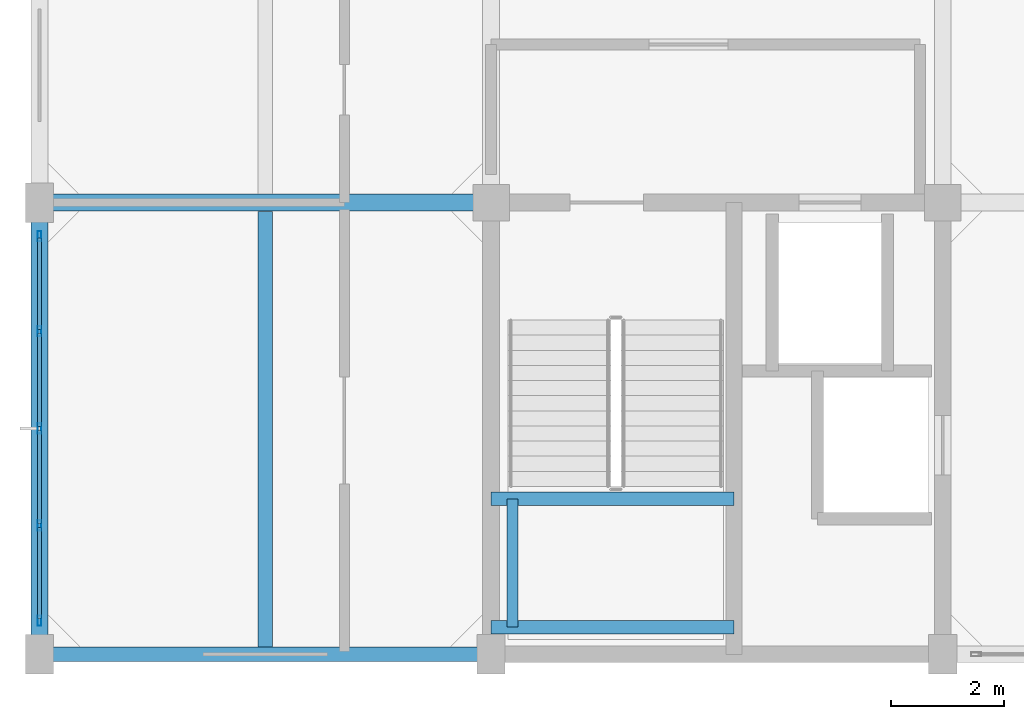
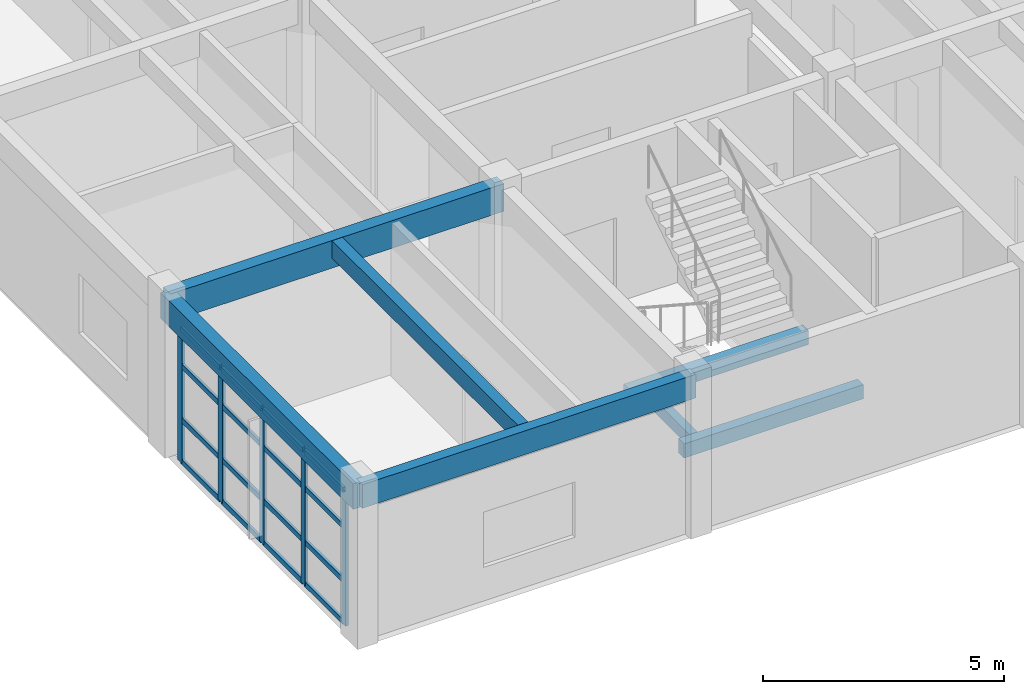
# One storey, part 2 of 16: 21 members, 7 beams, 1 element without a shape of its own.
"""IFC4 building model written with IfcOpenShell, lengths in metres."""

from ifc_helpers import new_model, si_unit, direction, frame, origin, origin_2d, place, context, subcontext, project, spatial, rectangle, hollow_rectangle, extrude, material, layer, layer_set, material_profile, profile_set, type_object, element, aggregate, save


model = new_model("IFC4")

# Units and contexts
model_context = context("Model", 3, precision=1e-05, world=origin(), true_north=direction((0.0, 1.0)))
body_context = subcontext(model_context, "Body", "Model", "MODEL_VIEW")
ifc_project = project(units=[si_unit("LENGTHUNIT", "METRE"), si_unit("AREAUNIT", "SQUARE_METRE"), si_unit("VOLUMEUNIT", "CUBIC_METRE"), si_unit("PLANEANGLEUNIT", "RADIAN"), si_unit("MASSUNIT", "GRAM", prefix="KILO")], contexts=[model_context])

# Site, building, storey
site_placement = place(None, origin())
site = spatial("IfcSite", under=ifc_project, at=site_placement, CompositionType="ELEMENT")
building_placement = place(site_placement, origin())
building = spatial("IfcBuilding", under=site, at=building_placement, Name="Canggui Botanical Conservatory", CompositionType="ELEMENT")
storey_placement = place(building_placement, frame((0.0, 0.0, 65.39990234375)))
storey = spatial("IfcBuildingStorey", under=building, at=storey_placement, Name="L16", CompositionType="ELEMENT", Elevation=65.39990234375)

# Beams
ifc_material_1 = material(Name="Concrete C35", Category="concrete")
ifc_material_profile_1 = material_profile(ifc_material_1, rectangle(XDim=0.25, YDim=0.449951171875, at=origin_2d()), Name="RB 250x450")
ifc_profile_set_1 = profile_set([ifc_material_profile_1], Name="Concrete C35")
beam_type_1 = type_object("IfcBeamType", Name="BM-JST05", PredefinedType="JOIST", material=ifc_profile_set_1)
beam_1_placement = place(storey_placement, frame((150.0, 42.1298828125, 3.735107421875), z_axis=(0.0, 1.0, 0.0), x_axis=(-1.0, 0.0, 0.0)))
element("IfcBeam", 1, at=beam_1_placement, inside=storey, type_object=beam_type_1, Name="Secondary Floor Joist L16-1-1", PredefinedType="JOIST", context=body_context, shape_type="SweptSolid", body=[
    extrude(rectangle(XDim=0.25, YDim=0.449951171875, at=origin_2d()), origin(), (0.0, 0.0, 1.0), 7.715087890625),
])
ifc_material_profile_2 = material_profile(ifc_material_1, rectangle(XDim=0.300048828125, YDim=0.699951171875, at=origin_2d()), Name="RB 300x700")
ifc_profile_set_2 = profile_set([ifc_material_profile_2], Name="Concrete C35")
beam_type_2 = type_object("IfcBeamType", Name="BM-KL21", PredefinedType="BEAM", material=ifc_profile_set_2)
beam_2_placement = place(storey_placement, frame((146.0, 50.0, 3.610107421875), z_axis=(1.0, 0.0, 0.0), x_axis=(0.0, 1.0, 0.0)))
element("IfcBeam", 2, at=beam_2_placement, inside=storey, type_object=beam_type_2, Name="Frame Girder L16 Y50-1", PredefinedType="BEAM", context=body_context, shape_type="SweptSolid", body=[
    extrude(rectangle(XDim=0.300048828125, YDim=0.699951171875, at=origin_2d()), origin(), (0.0, 0.0, 1.0), 8.0),
])
ifc_material_profile_3 = material_profile(ifc_material_1, rectangle(XDim=0.300048828125, YDim=0.64990234375, at=origin_2d()), Name="RB 300x650")
ifc_profile_set_3 = profile_set([ifc_material_profile_3], Name="Concrete C35")
beam_type_3 = type_object("IfcBeamType", Name="BM-KL22", PredefinedType="BEAM", material=ifc_profile_set_3)
beam_3_placement = place(storey_placement, frame((146.0, 42.0, 3.635009765625), z_axis=(0.0, 1.0, 0.0), x_axis=(-1.0, 0.0, 0.0)))
element("IfcBeam", 3, at=beam_3_placement, inside=storey, type_object=beam_type_3, Name="Frame Girder L16 X146-1", PredefinedType="BEAM", context=body_context, shape_type="SweptSolid", body=[
    extrude(rectangle(XDim=0.300048828125, YDim=0.64990234375, at=origin_2d()), origin(), (0.0, 0.0, 1.0), 8.0),
])
ifc_material_profile_4 = material_profile(ifc_material_1, rectangle(XDim=0.239990234375, YDim=0.360107421875, at=origin_2d()), Name="RB 240x360")
ifc_profile_set_4 = profile_set([ifc_material_profile_4], Name="Concrete C35")
beam_type_4 = type_object("IfcBeamType", Name="BM-LIN01", PredefinedType="LINTEL", material=ifc_profile_set_4)
for number, where, z_axis, x_axis, name in (
    (4, (154.0, 42.47998046875, 1.72021484375), (1.0, 0.0, 0.0), (0.0, 1.0, 0.0), "ST-T1 Half-Landing Ledger Beam L16-1.1"),
    (5, (154.0, 44.75244140625, 1.72021484375), (1.0, 0.0, 0.0), (0.0, 1.0, 0.0), "ST-T1 Half-Landing Ledger Beam L16-1.2"),
):
    element("IfcBeam", number, at=place(storey_placement, frame(where, z_axis=z_axis, x_axis=x_axis)), inside=storey, type_object=beam_type_4, Name=name, PredefinedType="LINTEL", context=body_context, shape_type="SweptSolid", body=[
        extrude(rectangle(XDim=0.239990234375, YDim=0.360107421875, at=origin_2d()), origin(), (0.0, 0.0, 1.0), 4.300048828125),
    ])
ifc_material_profile_5 = material_profile(ifc_material_1, rectangle(XDim=0.199951171875, YDim=0.320068359375, at=origin_2d()), Name="RB 200x320")
ifc_profile_set_5 = profile_set([ifc_material_profile_5], Name="Concrete C35")
beam_type_5 = type_object("IfcBeamType", Name="BM-LIN02", PredefinedType="LINTEL", material=ifc_profile_set_5)
beam_4_placement = place(storey_placement, frame((154.3798828125, 42.47998046875, 1.72021484375), z_axis=(0.0, 1.0, 0.0), x_axis=(-1.0, 0.0, 0.0)))
element("IfcBeam", 6, at=beam_4_placement, inside=storey, type_object=beam_type_5, Name="ST-T1 Half-Landing Edge Ledger L16-1.3", PredefinedType="LINTEL", context=body_context, shape_type="SweptSolid", body=[
    extrude(rectangle(XDim=0.199951171875, YDim=0.320068359375, at=origin_2d()), origin(), (0.0, 0.0, 1.0), 2.2724609375),
])
ifc_material_profile_6 = material_profile(ifc_material_1, rectangle(XDim=0.25, YDim=0.60009765625, at=origin_2d()), Name="RB 250x600")
ifc_profile_set_6 = profile_set([ifc_material_profile_6], Name="Concrete C35")
beam_type_6 = type_object("IfcBeamType", Name="BM-SPD02", PredefinedType="SPANDREL", material=ifc_profile_set_6)
beam_5_placement = place(storey_placement, frame((146.0, 42.0, 3.66015625), z_axis=(1.0, 0.0, 0.0), x_axis=(0.0, 1.0, 0.0)))
element("IfcBeam", 7, at=beam_5_placement, inside=storey, type_object=beam_type_6, Name="Frame Girder L16 Y42-1", PredefinedType="SPANDREL", context=body_context, shape_type="SweptSolid", body=[
    extrude(rectangle(XDim=0.25, YDim=0.60009765625, at=origin_2d()), origin(), (0.0, 0.0, 1.0), 8.0),
])

# Curtain wall, members
ifc_material_2 = material(Name="Thermally Broken Aluminium", Category="aluminium")
ifc_layer = layer(ifc_material_2, 0.179931640625, Name="Thermally Broken Aluminium", Category="aluminium")
ifc_layer_set = layer_set([ifc_layer], Name="Thermally Broken Aluminium")
curtain_wall_type = type_object("IfcCurtainWallType", Name="CW-UNIT-A", PredefinedType="USERDEFINED", material=ifc_layer_set)
curtain_wall_placement = place(storey_placement, origin())
curtain_wall = element("IfcCurtainWall", 8, at=curtain_wall_placement, inside=storey, type_object=curtain_wall_type, Name="Facade Curtain Wall CW-TWR-L16-04", ObjectType="UNITISED CURTAIN WALL", PredefinedType="USERDEFINED")
ifc_material_profile_7 = material_profile(ifc_material_2, hollow_rectangle(XDim=0.070068359375, YDim=0.179931640625, WallThickness=0.00390625, at=origin_2d()), Name="CWM 70x180x4")
ifc_profile_set_7 = profile_set([ifc_material_profile_7], Name="Thermally Broken Aluminium")
member_type_1 = type_object("IfcMemberType", Name="CWM-01", PredefinedType="MULLION", material=ifc_profile_set_7)
member_1_placement = place(storey_placement, frame((146.0, 42.594970703125, 0.0), z_axis=(0.0, 0.0, 1.0), x_axis=(-1.0, 0.0, 0.0)))
member_1 = element("IfcMember", 9, at=member_1_placement, type_object=member_type_1, Name="CW-01 mullion 1", PredefinedType="MULLION", context=body_context, shape_type="SweptSolid", body=[
    extrude(hollow_rectangle(XDim=0.070068359375, YDim=0.179931640625, WallThickness=0.00390625, at=origin_2d()), origin(), (0.0, 0.0, 1.0), 3.41015625),
])
member_2_placement = place(storey_placement, frame((146.0, 44.280029296875, 0.0), z_axis=(0.0, 0.0, 1.0), x_axis=(-1.0, 0.0, 0.0)))
member_2 = element("IfcMember", 10, at=member_2_placement, type_object=member_type_1, Name="CW-01 mullion 2", PredefinedType="MULLION", context=body_context, shape_type="SweptSolid", body=[
    extrude(hollow_rectangle(XDim=0.070068359375, YDim=0.179931640625, WallThickness=0.00390625, at=origin_2d()), origin(), (0.0, 0.0, 1.0), 3.41015625),
])
member_3_placement = place(storey_placement, frame((146.0, 46.0, 0.0), z_axis=(0.0, 0.0, 1.0), x_axis=(-1.0, 0.0, 0.0)))
member_3 = element("IfcMember", 11, at=member_3_placement, type_object=member_type_1, Name="CW-01 mullion 3", PredefinedType="MULLION", context=body_context, shape_type="SweptSolid", body=[
    extrude(hollow_rectangle(XDim=0.070068359375, YDim=0.179931640625, WallThickness=0.00390625, at=origin_2d()), origin(), (0.0, 0.0, 1.0), 3.41015625),
])
member_4_placement = place(storey_placement, frame((146.0, 47.719970703125, 0.0), z_axis=(0.0, 0.0, 1.0), x_axis=(-1.0, 0.0, 0.0)))
member_4 = element("IfcMember", 12, at=member_4_placement, type_object=member_type_1, Name="CW-01 mullion 4", PredefinedType="MULLION", context=body_context, shape_type="SweptSolid", body=[
    extrude(hollow_rectangle(XDim=0.070068359375, YDim=0.179931640625, WallThickness=0.00390625, at=origin_2d()), origin(), (0.0, 0.0, 1.0), 3.41015625),
])
member_5_placement = place(storey_placement, frame((146.0, 49.405029296875, 0.0), z_axis=(0.0, 0.0, 1.0), x_axis=(-1.0, 0.0, 0.0)))
member_5 = element("IfcMember", 13, at=member_5_placement, type_object=member_type_1, Name="CW-01 mullion 5", PredefinedType="MULLION", context=body_context, shape_type="SweptSolid", body=[
    extrude(hollow_rectangle(XDim=0.070068359375, YDim=0.179931640625, WallThickness=0.00390625, at=origin_2d()), origin(), (0.0, 0.0, 1.0), 3.41015625),
])
ifc_material_profile_8 = material_profile(ifc_material_2, hollow_rectangle(XDim=0.06494140625, YDim=0.1298828125, WallThickness=0.00341796875, at=origin_2d()), Name="CWT 65x130x3.5")
ifc_profile_set_8 = profile_set([ifc_material_profile_8], Name="Thermally Broken Aluminium")
member_type_2 = type_object("IfcMemberType", Name="CWT-01", PredefinedType="USERDEFINED", material=ifc_profile_set_8)
member_6_placement = place(storey_placement, frame((146.0, 42.6298828125, 0.03271484375), z_axis=(0.0, 1.0, 0.0), x_axis=(-1.0, 0.0, 0.0)))
member_6 = element("IfcMember", 14, at=member_6_placement, type_object=member_type_2, Name="CW-01 transom 1.1", ObjectType="TRANSOM", PredefinedType="USERDEFINED", context=body_context, shape_type="SweptSolid", body=[
    extrude(hollow_rectangle(XDim=0.06494140625, YDim=0.1298828125, WallThickness=0.00341796875, at=origin_2d()), origin(), (0.0, 0.0, 1.0), 1.615234375),
])
member_7_placement = place(storey_placement, frame((146.0, 42.6298828125, 1.09130859375), z_axis=(0.0, 1.0, 0.0), x_axis=(-1.0, 0.0, 0.0)))
member_7 = element("IfcMember", 15, at=member_7_placement, type_object=member_type_2, Name="CW-01 transom 1.2", ObjectType="TRANSOM", PredefinedType="USERDEFINED", context=body_context, shape_type="SweptSolid", body=[
    extrude(hollow_rectangle(XDim=0.06494140625, YDim=0.1298828125, WallThickness=0.00341796875, at=origin_2d()), origin(), (0.0, 0.0, 1.0), 1.615234375),
])
member_8_placement = place(storey_placement, frame((146.0, 42.6298828125, 2.455322265625), z_axis=(0.0, 1.0, 0.0), x_axis=(-1.0, 0.0, 0.0)))
member_8 = element("IfcMember", 16, at=member_8_placement, type_object=member_type_2, Name="CW-01 transom 1.3", ObjectType="TRANSOM", PredefinedType="USERDEFINED", context=body_context, shape_type="SweptSolid", body=[
    extrude(hollow_rectangle(XDim=0.06494140625, YDim=0.1298828125, WallThickness=0.00341796875, at=origin_2d()), origin(), (0.0, 0.0, 1.0), 1.615234375),
])
member_9_placement = place(storey_placement, frame((146.0, 42.6298828125, 3.377685546875), z_axis=(0.0, 1.0, 0.0), x_axis=(-1.0, 0.0, 0.0)))
member_9 = element("IfcMember", 17, at=member_9_placement, type_object=member_type_2, Name="CW-01 transom 1.4", ObjectType="TRANSOM", PredefinedType="USERDEFINED", context=body_context, shape_type="SweptSolid", body=[
    extrude(hollow_rectangle(XDim=0.06494140625, YDim=0.1298828125, WallThickness=0.00341796875, at=origin_2d()), origin(), (0.0, 0.0, 1.0), 1.615234375),
])
member_10_placement = place(storey_placement, frame((146.0, 44.31494140625, 0.03271484375), z_axis=(0.0, 1.0, 0.0), x_axis=(-1.0, 0.0, 0.0)))
member_10 = element("IfcMember", 18, at=member_10_placement, type_object=member_type_2, Name="CW-01 transom 2.1", ObjectType="TRANSOM", PredefinedType="USERDEFINED", context=body_context, shape_type="SweptSolid", body=[
    extrude(hollow_rectangle(XDim=0.06494140625, YDim=0.1298828125, WallThickness=0.00341796875, at=origin_2d()), origin(), (0.0, 0.0, 1.0), 1.650146484375),
])
member_11_placement = place(storey_placement, frame((146.0, 44.31494140625, 1.09130859375), z_axis=(0.0, 1.0, 0.0), x_axis=(-1.0, 0.0, 0.0)))
member_11 = element("IfcMember", 19, at=member_11_placement, type_object=member_type_2, Name="CW-01 transom 2.2", ObjectType="TRANSOM", PredefinedType="USERDEFINED", context=body_context, shape_type="SweptSolid", body=[
    extrude(hollow_rectangle(XDim=0.06494140625, YDim=0.1298828125, WallThickness=0.00341796875, at=origin_2d()), origin(), (0.0, 0.0, 1.0), 1.650146484375),
])
member_12_placement = place(storey_placement, frame((146.0, 44.31494140625, 2.455322265625), z_axis=(0.0, 1.0, 0.0), x_axis=(-1.0, 0.0, 0.0)))
member_12 = element("IfcMember", 20, at=member_12_placement, type_object=member_type_2, Name="CW-01 transom 2.3", ObjectType="TRANSOM", PredefinedType="USERDEFINED", context=body_context, shape_type="SweptSolid", body=[
    extrude(hollow_rectangle(XDim=0.06494140625, YDim=0.1298828125, WallThickness=0.00341796875, at=origin_2d()), origin(), (0.0, 0.0, 1.0), 1.650146484375),
])
member_13_placement = place(storey_placement, frame((146.0, 44.31494140625, 3.377685546875), z_axis=(0.0, 1.0, 0.0), x_axis=(-1.0, 0.0, 0.0)))
member_13 = element("IfcMember", 21, at=member_13_placement, type_object=member_type_2, Name="CW-01 transom 2.4", ObjectType="TRANSOM", PredefinedType="USERDEFINED", context=body_context, shape_type="SweptSolid", body=[
    extrude(hollow_rectangle(XDim=0.06494140625, YDim=0.1298828125, WallThickness=0.00341796875, at=origin_2d()), origin(), (0.0, 0.0, 1.0), 1.650146484375),
])
member_14_placement = place(storey_placement, frame((146.0, 46.034912109375, 0.03271484375), z_axis=(0.0, 1.0, 0.0), x_axis=(-1.0, 0.0, 0.0)))
member_14 = element("IfcMember", 22, at=member_14_placement, type_object=member_type_2, Name="CW-01 transom 3.1", ObjectType="TRANSOM", PredefinedType="USERDEFINED", context=body_context, shape_type="SweptSolid", body=[
    extrude(hollow_rectangle(XDim=0.06494140625, YDim=0.1298828125, WallThickness=0.00341796875, at=origin_2d()), origin(), (0.0, 0.0, 1.0), 1.650146484375),
])
member_15_placement = place(storey_placement, frame((146.0, 46.034912109375, 1.09130859375), z_axis=(0.0, 1.0, 0.0), x_axis=(-1.0, 0.0, 0.0)))
member_15 = element("IfcMember", 23, at=member_15_placement, type_object=member_type_2, Name="CW-01 transom 3.2", ObjectType="TRANSOM", PredefinedType="USERDEFINED", context=body_context, shape_type="SweptSolid", body=[
    extrude(hollow_rectangle(XDim=0.06494140625, YDim=0.1298828125, WallThickness=0.00341796875, at=origin_2d()), origin(), (0.0, 0.0, 1.0), 1.650146484375),
])
member_16_placement = place(storey_placement, frame((146.0, 46.034912109375, 2.455322265625), z_axis=(0.0, 1.0, 0.0), x_axis=(-1.0, 0.0, 0.0)))
member_16 = element("IfcMember", 24, at=member_16_placement, type_object=member_type_2, Name="CW-01 transom 3.3", ObjectType="TRANSOM", PredefinedType="USERDEFINED", context=body_context, shape_type="SweptSolid", body=[
    extrude(hollow_rectangle(XDim=0.06494140625, YDim=0.1298828125, WallThickness=0.00341796875, at=origin_2d()), origin(), (0.0, 0.0, 1.0), 1.650146484375),
])
member_17_placement = place(storey_placement, frame((146.0, 46.034912109375, 3.377685546875), z_axis=(0.0, 1.0, 0.0), x_axis=(-1.0, 0.0, 0.0)))
member_17 = element("IfcMember", 25, at=member_17_placement, type_object=member_type_2, Name="CW-01 transom 3.4", ObjectType="TRANSOM", PredefinedType="USERDEFINED", context=body_context, shape_type="SweptSolid", body=[
    extrude(hollow_rectangle(XDim=0.06494140625, YDim=0.1298828125, WallThickness=0.00341796875, at=origin_2d()), origin(), (0.0, 0.0, 1.0), 1.650146484375),
])
member_18_placement = place(storey_placement, frame((146.0, 47.7548828125, 0.03271484375), z_axis=(0.0, 1.0, 0.0), x_axis=(-1.0, 0.0, 0.0)))
member_18 = element("IfcMember", 26, at=member_18_placement, type_object=member_type_2, Name="CW-01 transom 4.1", ObjectType="TRANSOM", PredefinedType="USERDEFINED", context=body_context, shape_type="SweptSolid", body=[
    extrude(hollow_rectangle(XDim=0.06494140625, YDim=0.1298828125, WallThickness=0.00341796875, at=origin_2d()), origin(), (0.0, 0.0, 1.0), 1.615234375),
])
member_19_placement = place(storey_placement, frame((146.0, 47.7548828125, 1.09130859375), z_axis=(0.0, 1.0, 0.0), x_axis=(-1.0, 0.0, 0.0)))
member_19 = element("IfcMember", 27, at=member_19_placement, type_object=member_type_2, Name="CW-01 transom 4.2", ObjectType="TRANSOM", PredefinedType="USERDEFINED", context=body_context, shape_type="SweptSolid", body=[
    extrude(hollow_rectangle(XDim=0.06494140625, YDim=0.1298828125, WallThickness=0.00341796875, at=origin_2d()), origin(), (0.0, 0.0, 1.0), 1.615234375),
])
member_20_placement = place(storey_placement, frame((146.0, 47.7548828125, 2.455322265625), z_axis=(0.0, 1.0, 0.0), x_axis=(-1.0, 0.0, 0.0)))
member_20 = element("IfcMember", 28, at=member_20_placement, type_object=member_type_2, Name="CW-01 transom 4.3", ObjectType="TRANSOM", PredefinedType="USERDEFINED", context=body_context, shape_type="SweptSolid", body=[
    extrude(hollow_rectangle(XDim=0.06494140625, YDim=0.1298828125, WallThickness=0.00341796875, at=origin_2d()), origin(), (0.0, 0.0, 1.0), 1.615234375),
])
member_21_placement = place(storey_placement, frame((146.0, 47.7548828125, 3.377685546875), z_axis=(0.0, 1.0, 0.0), x_axis=(-1.0, 0.0, 0.0)))
member_21 = element("IfcMember", 29, at=member_21_placement, type_object=member_type_2, Name="CW-01 transom 4.4", ObjectType="TRANSOM", PredefinedType="USERDEFINED", context=body_context, shape_type="SweptSolid", body=[
    extrude(hollow_rectangle(XDim=0.06494140625, YDim=0.1298828125, WallThickness=0.00341796875, at=origin_2d()), origin(), (0.0, 0.0, 1.0), 1.615234375),
])
aggregate(curtain_wall, [member_1, member_2, member_3, member_4, member_5, member_6, member_7, member_8, member_9, member_10, member_11, member_12, member_13, member_14, member_15, member_16, member_17, member_18, member_19, member_20, member_21])

save(model, "model.ifc")
